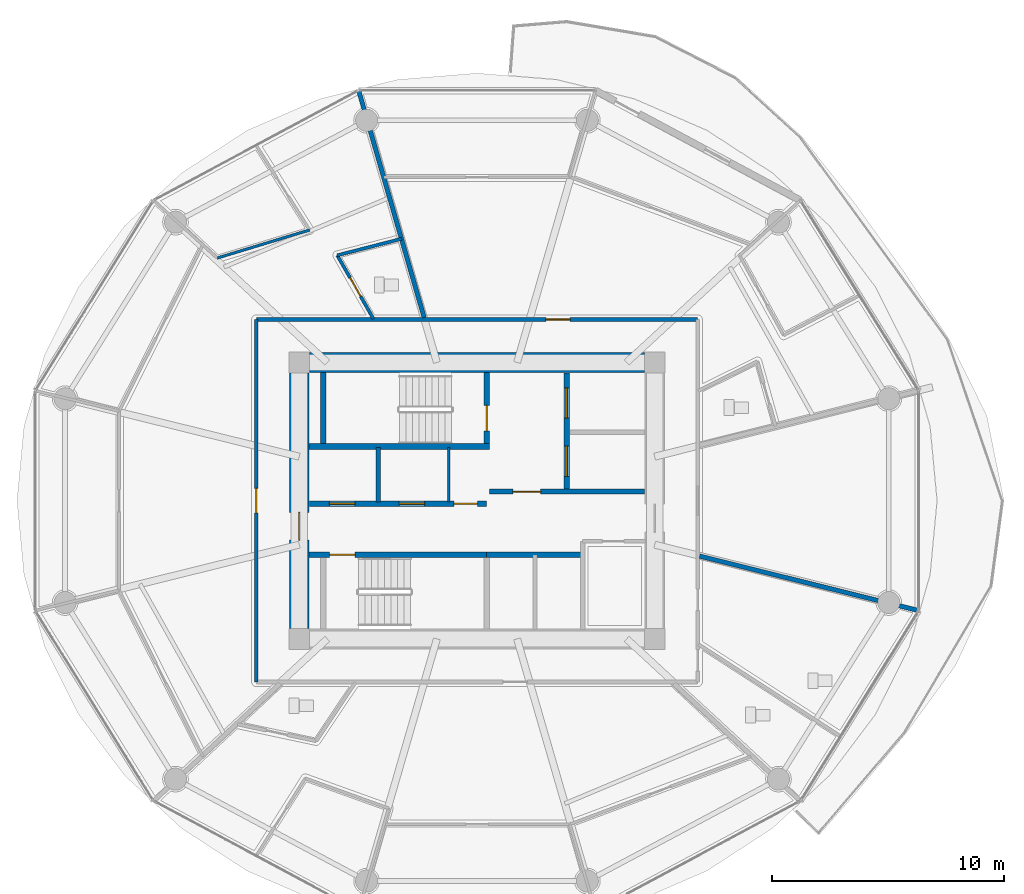
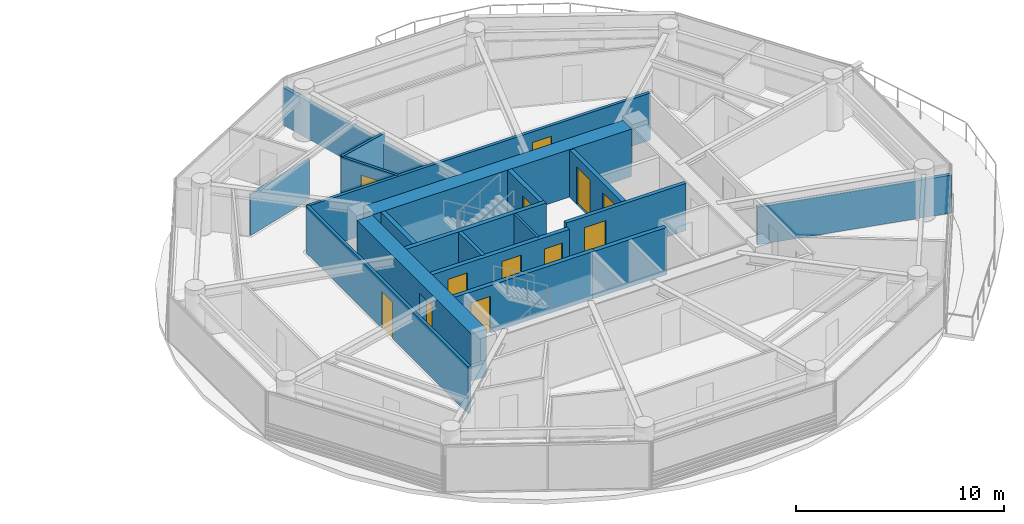
# One storey, part 19 of 31: 19 walls, 12 doors, 12 openings.
"""IFC4 building model written with IfcOpenShell, lengths in metres."""

from ifc_helpers import new_model, si_unit, direction, frame, frame_2d, origin, place, context, subcontext, project, spatial, rectangle, extrude, source, transform, mapped, material, layer, layer_set, type_object, type_shapes, element, fill, save


model = new_model("IFC4")

# Units and contexts
model_context = context("Model", 3, precision=1e-05, world=origin(), true_north=direction((0.0, 1.0)))
body_context = subcontext(model_context, "Body", "Model", "MODEL_VIEW")
ifc_project = project(units=[si_unit("LENGTHUNIT", "METRE"), si_unit("AREAUNIT", "SQUARE_METRE"), si_unit("VOLUMEUNIT", "CUBIC_METRE"), si_unit("PLANEANGLEUNIT", "RADIAN"), si_unit("MASSUNIT", "GRAM", prefix="KILO")], contexts=[model_context])

# Site, building, storey
site_placement = place(None, origin())
site = spatial("IfcSite", under=ifc_project, at=site_placement, CompositionType="ELEMENT")
building_placement = place(site_placement, origin())
building = spatial("IfcBuilding", under=site, at=building_placement, Name="Norrkilde Senior Care Towers", CompositionType="ELEMENT")
storey_placement = place(building_placement, frame((0.0, 0.0, 42.949951171875)))
storey = spatial("IfcBuildingStorey", under=building, at=storey_placement, Name="L12", CompositionType="ELEMENT", Elevation=42.949951171875)

# Wall
ifc_material_1 = material(Name="Concrete C60/75", Category="concrete")
ifc_layer_1 = layer(ifc_material_1, 0.85009765625)
ifc_layer_set_1 = layer_set([ifc_layer_1], Name="Concrete C60/75")
wall_type_1 = type_object("IfcWallType", Name="Core Shear Wall Z1 850", PredefinedType="SHEAR", material=ifc_layer_set_1)
shared_shape_1 = source(origin(), body_context, "Body", "SweptSolid", [
    extrude(rectangle(XDim=14.39990234375, YDim=0.85009765625, at=frame_2d((7.199951171875, 0.0))), origin(), (0.0, 0.0, 1.0), 2.7900390625),
])
wall_1_placement = place(storey_placement, frame((20.800048828125, 5.949951171875, 0.0), z_axis=(0.0, 0.0, 1.0), x_axis=(1.0, 0.0, 0.0)))
element("IfcWall", 1, at=wall_1_placement, inside=storey, type_object=wall_type_1, Name="L12 Core E North Shear Wall", PredefinedType="SHEAR", context=body_context, shape_type="MappedRepresentation", body=[
    mapped(shared_shape_1, transform((0.0, 0.0, 0.0), x_axis=(1.0, 0.0, 0.0), y_axis=(0.0, 1.0, 0.0), z_axis=(0.0, 0.0, 1.0), scale=1.0)),
])

# Wall, opening, door
shared_shape_2 = source(origin(), body_context, "Body", "SweptSolid", [
    extrude(rectangle(XDim=11.0, YDim=0.85009765625, at=frame_2d((5.5, 0.0))), origin(), (0.0, 0.0, 1.0), 2.7900390625),
])
type_shapes(wall_type_1, [shared_shape_1, shared_shape_2])
wall_2_placement = place(storey_placement, frame((20.35009765625, -5.5, 0.0), z_axis=(0.0, 0.0, 1.0), x_axis=(0.0, 1.0, 0.0)))
wall_2 = element("IfcWall", 2, at=wall_2_placement, inside=storey, type_object=wall_type_1, Name="L12 Core E West Shear Wall", PredefinedType="SHEAR", context=body_context, shape_type="MappedRepresentation", body=[
    mapped(shared_shape_2, transform((0.0, 0.0, 0.0), x_axis=(1.0, 0.0, 0.0), y_axis=(0.0, 1.0, 0.0), z_axis=(0.0, 0.0, 1.0), scale=1.0)),
])
opening_1_placement = place(wall_2_placement, frame((3.800048828125, 0.0, 0.0)))
opening_1 = element("IfcOpeningElement", 3, at=opening_1_placement, cuts=wall_2, Name="Opening D-04", PredefinedType="OPENING", context=body_context, shape_type="SweptSolid", body=[
    extrude(rectangle(XDim=1.199951171875, YDim=2.14990234375, at=frame_2d((0.60009765625, 1.074951171875))), frame((0.0, 0.43505859375, 0.0), z_axis=(0.0, -1.0, 0.0), x_axis=(1.0, 0.0, 0.0)), (0.0, 0.0, 1.0), 0.8701171875),
])
ifc_material_2 = material(Name="Galvanised Painted Steel", Category="steel")
door_type_1 = type_object("IfcDoorType", Name="Firefighting Lobby Fire Door 1200x2150", OperationType="NOTDEFINED", PredefinedType="DOOR", material=ifc_material_2)
shared_shape_3 = source(origin(), body_context, "Body", "SweptSolid", [
    extrude(rectangle(XDim=1.199951171875, YDim=2.14990234375, at=frame_2d((0.60009765625, 1.074951171875))), frame((0.0, 0.02490234375, 0.0), z_axis=(0.0, -1.0, 0.0), x_axis=(1.0, 0.0, 0.0)), (0.0, 0.0, 1.0), 0.050048828125),
])
type_shapes(door_type_1, [shared_shape_3])
door_1_placement = place(opening_1_placement, frame((1.199951171875, 0.0, 0.0), z_axis=(0.0, 0.0, 1.0), x_axis=(-1.0, 0.0, 0.0)))
door_1 = element("IfcDoor", 4, at=door_1_placement, inside=storey, type_object=door_type_1, Name="L12 Core E West Portal Door", OperationType="SINGLE_SWING_LEFT", OverallHeight=2.14990234375, OverallWidth=1.199951171875, PredefinedType="DOOR", context=body_context, shape_type="MappedRepresentation", body=[
    mapped(shared_shape_3, transform((0.0, 0.0, 0.0), x_axis=(1.0, 0.0, 0.0), y_axis=(0.0, 1.0, 0.0), z_axis=(0.0, 0.0, 1.0), scale=1.0)),
])
fill(opening_1, door_1)

# Wall
ifc_material_3 = material(Name="Concrete C45/55", Category="concrete")
ifc_layer_2 = layer(ifc_material_3, 0.239990234375)
ifc_layer_set_2 = layer_set([ifc_layer_2], Name="Concrete C45/55")
wall_type_2 = type_object("IfcWallType", Name="Shaft and Stair Enclosure Wall 240", PredefinedType="PARTITIONING", material=ifc_layer_set_2)
shared_shape_4 = source(origin(), body_context, "Body", "SweptSolid", [
    extrude(rectangle(XDim=7.76513671875, YDim=0.239990234375, at=frame_2d((3.882568359375, 0.0))), origin(), (0.0, 0.0, 1.0), 2.7900390625),
])
wall_3_placement = place(storey_placement, frame((20.77490234375, 2.330078125, 0.0), z_axis=(0.0, 0.0, 1.0), x_axis=(1.0, 0.0, 0.0)))
element("IfcWall", 5, at=wall_3_placement, inside=storey, type_object=wall_type_2, Name="WL-INT-L12-E-ST1S", PredefinedType="PARTITIONING", context=body_context, shape_type="MappedRepresentation", body=[
    mapped(shared_shape_4, transform((0.0, 0.0, 0.0), x_axis=(1.0, 0.0, 0.0), y_axis=(0.0, 1.0, 0.0), z_axis=(0.0, 0.0, 1.0), scale=1.0)),
])

# Wall, opening, door
wall_4_placement = place(storey_placement, frame((20.77490234375, -2.330078125, 0.0), z_axis=(0.0, 0.0, 1.0), x_axis=(1.0, 0.0, 0.0)))
wall_4 = element("IfcWall", 6, at=wall_4_placement, inside=storey, type_object=wall_type_2, Name="WL-INT-L12-E-ST2N", PredefinedType="PARTITIONING", context=body_context, shape_type="MappedRepresentation", body=[
    mapped(shared_shape_4, transform((0.0, 0.0, 0.0), x_axis=(1.0, 0.0, 0.0), y_axis=(0.0, 1.0, 0.0), z_axis=(0.0, 0.0, 1.0), scale=1.0)),
])
opening_2_placement = place(wall_4_placement, frame((0.885009765625, 0.0, 0.0)))
opening_2 = element("IfcOpeningElement", 7, at=opening_2_placement, cuts=wall_4, Name="Opening D-03", PredefinedType="OPENING", context=body_context, shape_type="SweptSolid", body=[
    extrude(rectangle(XDim=1.10009765625, YDim=2.14990234375, at=frame_2d((0.550048828125, 1.074951171875))), frame((0.0, 0.1298828125, 0.0), z_axis=(0.0, -1.0, 0.0), x_axis=(1.0, 0.0, 0.0)), (0.0, 0.0, 1.0), 0.260009765625),
])
door_type_2 = type_object("IfcDoorType", Name="Stairwell Protected Fire Door 1100x2150", OperationType="NOTDEFINED", PredefinedType="DOOR", material=ifc_material_2)
shared_shape_5 = source(origin(), body_context, "Body", "SweptSolid", [
    extrude(rectangle(XDim=1.10009765625, YDim=2.14990234375, at=frame_2d((0.550048828125, 1.074951171875))), frame((0.0, 0.02490234375, 0.0), z_axis=(0.0, -1.0, 0.0), x_axis=(1.0, 0.0, 0.0)), (0.0, 0.0, 1.0), 0.050048828125),
])
type_shapes(door_type_2, [shared_shape_5])
door_2_placement = place(opening_2_placement, frame((1.10009765625, 0.0, 0.0), z_axis=(0.0, 0.0, 1.0), x_axis=(-1.0, 0.0, 0.0)))
door_2 = element("IfcDoor", 8, at=door_2_placement, inside=storey, type_object=door_type_2, Name="L12 Stair E2 Fire Door", OperationType="SINGLE_SWING_RIGHT", OverallHeight=2.14990234375, OverallWidth=1.10009765625, PredefinedType="DOOR", context=body_context, shape_type="MappedRepresentation", body=[
    mapped(shared_shape_5, transform((0.0, 0.0, 0.0), x_axis=(1.0, 0.0, 0.0), y_axis=(0.0, 1.0, 0.0), z_axis=(0.0, 0.0, 1.0), scale=1.0)),
])
fill(opening_2, door_2)

# Wall
shared_shape_6 = source(origin(), body_context, "Body", "SweptSolid", [
    extrude(rectangle(XDim=3.074951171875, YDim=0.239990234375, at=frame_2d((1.53759765625, 0.0))), origin(), (0.0, 0.0, 1.0), 2.7900390625),
])
type_shapes(wall_type_2, [shared_shape_4, shared_shape_6])
wall_5_placement = place(storey_placement, frame((21.3798828125, 2.449951171875, 0.0), z_axis=(0.0, 0.0, 1.0), x_axis=(0.0, 1.0, 0.0)))
element("IfcWall", 9, at=wall_5_placement, inside=storey, type_object=wall_type_2, Name="WL-INT-L12-E-ST1W", PredefinedType="PARTITIONING", context=body_context, shape_type="MappedRepresentation", body=[
    mapped(shared_shape_6, transform((0.0, 0.0, 0.0), x_axis=(1.0, 0.0, 0.0), y_axis=(0.0, 1.0, 0.0), z_axis=(0.0, 0.0, 1.0), scale=1.0)),
])

# Wall, opening, door
wall_6_placement = place(storey_placement, frame((28.419921875, 2.449951171875, 0.0), z_axis=(0.0, 0.0, 1.0), x_axis=(0.0, 1.0, 0.0)))
wall_6 = element("IfcWall", 10, at=wall_6_placement, inside=storey, type_object=wall_type_2, Name="WL-INT-L12-E-ST1E", PredefinedType="PARTITIONING", context=body_context, shape_type="MappedRepresentation", body=[
    mapped(shared_shape_6, transform((0.0, 0.0, 0.0), x_axis=(1.0, 0.0, 0.0), y_axis=(0.0, 1.0, 0.0), z_axis=(0.0, 0.0, 1.0), scale=1.0)),
])
opening_3_placement = place(wall_6_placement, frame((0.550048828125, 0.0, 0.0)))
opening_3 = element("IfcOpeningElement", 11, at=opening_3_placement, cuts=wall_6, Name="Opening D-03", PredefinedType="OPENING", context=body_context, shape_type="SweptSolid", body=[
    extrude(rectangle(XDim=1.10009765625, YDim=2.14990234375, at=frame_2d((0.550048828125, 1.074951171875))), frame((0.0, 0.1298828125, 0.0), z_axis=(0.0, -1.0, 0.0), x_axis=(1.0, 0.0, 0.0)), (0.0, 0.0, 1.0), 0.260009765625),
])
door_3_placement = place(opening_3_placement, origin())
door_3 = element("IfcDoor", 12, at=door_3_placement, inside=storey, type_object=door_type_2, Name="L12 Stair E1 Fire Door", OperationType="SINGLE_SWING_LEFT", OverallHeight=2.14990234375, OverallWidth=1.10009765625, PredefinedType="DOOR", context=body_context, shape_type="MappedRepresentation", body=[
    mapped(shared_shape_5, transform((0.0, 0.0, 0.0), x_axis=(1.0, 0.0, 0.0), y_axis=(0.0, 1.0, 0.0), z_axis=(0.0, 0.0, 1.0), scale=1.0)),
])
fill(opening_3, door_3)

# Wall, openings, doors
ifc_layer_3 = layer(ifc_material_3, 0.239990234375)
ifc_layer_set_3 = layer_set([ifc_layer_3], Name="Concrete C45/55")
wall_type_3 = type_object("IfcWallType", Name="Lift and Plant Rated Enclosure Partition 240", PredefinedType="PARTITIONING", material=ifc_layer_set_3)
shared_shape_7 = source(origin(), body_context, "Body", "SweptSolid", [
    extrude(rectangle(XDim=5.0, YDim=0.239990234375, at=frame_2d((2.5, 0.0))), origin(), (0.0, 0.0, 1.0), 2.775146484375),
])
wall_7_placement = place(storey_placement, frame((31.860107421875, 0.5, 0.0), z_axis=(0.0, 0.0, 1.0), x_axis=(0.0, 1.0, 0.0)))
wall_7 = element("IfcWall", 13, at=wall_7_placement, inside=storey, type_object=wall_type_3, Name="WL-INT-L12-E-FFLE", PredefinedType="PARTITIONING", context=body_context, shape_type="MappedRepresentation", body=[
    mapped(shared_shape_7, transform((0.0, 0.0, 0.0), x_axis=(1.0, 0.0, 0.0), y_axis=(0.0, 1.0, 0.0), z_axis=(0.0, 0.0, 1.0), scale=1.0)),
])
opening_4_placement = place(wall_7_placement, frame((3.050048828125, 0.0, 0.0)))
opening_4 = element("IfcOpeningElement", 14, at=opening_4_placement, cuts=wall_7, Name="Opening LD-02", PredefinedType="OPENING", context=body_context, shape_type="SweptSolid", body=[
    extrude(rectangle(XDim=1.300048828125, YDim=2.199951171875, at=frame_2d((0.64990234375, 1.10009765625))), frame((0.0, 0.1298828125, 0.0), z_axis=(0.0, -1.0, 0.0), x_axis=(1.0, 0.0, 0.0)), (0.0, 0.0, 1.0), 0.260009765625),
])
opening_5_placement = place(wall_7_placement, frame((0.550048828125, 0.0, 0.0)))
opening_5 = element("IfcOpeningElement", 15, at=opening_5_placement, cuts=wall_7, Name="Opening LD-02", PredefinedType="OPENING", context=body_context, shape_type="SweptSolid", body=[
    extrude(rectangle(XDim=1.300048828125, YDim=2.199951171875, at=frame_2d((0.64990234375, 1.10009765625))), frame((0.0, 0.1298828125, 0.0), z_axis=(0.0, -1.0, 0.0), x_axis=(1.0, 0.0, 0.0)), (0.0, 0.0, 1.0), 0.260009765625),
])
ifc_material_4 = material(Name="Stainless Steel", Category="steel")
door_type_3 = type_object("IfcDoorType", Name="Stretcher and FFL Landing Sliding Door 1300x2200", OperationType="NOTDEFINED", PredefinedType="DOOR", material=ifc_material_4)
shared_shape_8 = source(origin(), body_context, "Body", "SweptSolid", [
    extrude(rectangle(XDim=1.300048828125, YDim=2.199951171875, at=frame_2d((0.64990234375, 1.10009765625))), frame((0.0, 0.02490234375, 0.0), z_axis=(0.0, -1.0, 0.0), x_axis=(1.0, 0.0, 0.0)), (0.0, 0.0, 1.0), 0.050048828125),
])
type_shapes(door_type_3, [shared_shape_8])
door_4_placement = place(opening_4_placement, origin())
door_4 = element("IfcDoor", 16, at=door_4_placement, inside=storey, type_object=door_type_3, Name="L12 Firefighting Lift E1 Landing Door", OperationType="SLIDING_TO_LEFT", OverallHeight=2.199951171875, OverallWidth=1.300048828125, PredefinedType="DOOR", context=body_context, shape_type="MappedRepresentation", body=[
    mapped(shared_shape_8, transform((0.0, 0.0, 0.0), x_axis=(1.0, 0.0, 0.0), y_axis=(0.0, 1.0, 0.0), z_axis=(0.0, 0.0, 1.0), scale=1.0)),
])
fill(opening_4, door_4)
door_5_placement = place(opening_5_placement, origin())
door_5 = element("IfcDoor", 17, at=door_5_placement, inside=storey, type_object=door_type_3, Name="L12 Stretcher Lift E1 Landing Door", OperationType="SLIDING_TO_RIGHT", OverallHeight=2.199951171875, OverallWidth=1.300048828125, PredefinedType="DOOR", context=body_context, shape_type="MappedRepresentation", body=[
    mapped(shared_shape_8, transform((0.0, 0.0, 0.0), x_axis=(1.0, 0.0, 0.0), y_axis=(0.0, 1.0, 0.0), z_axis=(0.0, 0.0, 1.0), scale=1.0)),
])
fill(opening_5, door_5)

# Wall, opening, door
ifc_layer_4 = layer(ifc_material_3, 0.2099609375)
ifc_layer_set_4 = layer_set([ifc_layer_4], Name="Concrete C45/55")
wall_type_4 = type_object("IfcWallType", Name="Firefighting Lobby Wall 210", PredefinedType="PARTITIONING", material=ifc_layer_set_4)
shared_shape_9 = source(origin(), body_context, "Body", "SweptSolid", [
    extrude(rectangle(XDim=6.659912109375, YDim=0.2099609375, at=frame_2d((3.330078125, 0.0))), origin(), (0.0, 0.0, 1.0), 2.775146484375),
])
type_shapes(wall_type_4, [shared_shape_9])
wall_8_placement = place(storey_placement, frame((28.5400390625, 0.389892578125, 0.0), z_axis=(0.0, 0.0, 1.0), x_axis=(1.0, 0.0, 0.0)))
wall_8 = element("IfcWall", 18, at=wall_8_placement, inside=storey, type_object=wall_type_4, Name="WL-INT-L12-E-FFLS", PredefinedType="PARTITIONING", context=body_context, shape_type="MappedRepresentation", body=[
    mapped(shared_shape_9, transform((0.0, 0.0, 0.0), x_axis=(1.0, 0.0, 0.0), y_axis=(0.0, 1.0, 0.0), z_axis=(0.0, 0.0, 1.0), scale=1.0)),
])
opening_6_placement = place(wall_8_placement, frame((1.0, 0.0, 0.0)))
opening_6 = element("IfcOpeningElement", 19, at=opening_6_placement, cuts=wall_8, Name="Opening D-04", PredefinedType="OPENING", context=body_context, shape_type="SweptSolid", body=[
    extrude(rectangle(XDim=1.199951171875, YDim=2.14990234375, at=frame_2d((0.60009765625, 1.074951171875))), frame((0.0, 0.114990234375, 0.0), z_axis=(0.0, -1.0, 0.0), x_axis=(1.0, 0.0, 0.0)), (0.0, 0.0, 1.0), 0.22998046875),
])
door_6_placement = place(opening_6_placement, frame((1.199951171875, 0.0, 0.0), z_axis=(0.0, 0.0, 1.0), x_axis=(-1.0, 0.0, 0.0)))
door_6 = element("IfcDoor", 20, at=door_6_placement, inside=storey, type_object=door_type_1, Name="L12 Firefighting Lobby E Door", OperationType="SINGLE_SWING_LEFT", OverallHeight=2.14990234375, OverallWidth=1.199951171875, PredefinedType="DOOR", context=body_context, shape_type="MappedRepresentation", body=[
    mapped(shared_shape_3, transform((0.0, 0.0, 0.0), x_axis=(1.0, 0.0, 0.0), y_axis=(0.0, 1.0, 0.0), z_axis=(0.0, 0.0, 1.0), scale=1.0)),
])
fill(opening_6, door_6)

# Wall, openings, doors
shared_shape_10 = source(origin(), body_context, "Body", "SweptSolid", [
    extrude(rectangle(XDim=7.619873046875, YDim=0.239990234375, at=frame_2d((3.81005859375, 0.0))), origin(), (0.0, 0.0, 1.0), 2.775146484375),
])
wall_9_placement = place(storey_placement, frame((20.800048828125, -0.1298828125, 0.0), z_axis=(0.0, 0.0, 1.0), x_axis=(1.0, 0.0, 0.0)))
wall_9 = element("IfcWall", 21, at=wall_9_placement, inside=storey, type_object=wall_type_3, Name="WL-INT-L12-E-PKAS", PredefinedType="PARTITIONING", context=body_context, shape_type="MappedRepresentation", body=[
    mapped(shared_shape_10, transform((0.0, 0.0, 0.0), x_axis=(1.0, 0.0, 0.0), y_axis=(0.0, 1.0, 0.0), z_axis=(0.0, 0.0, 1.0), scale=1.0)),
])
opening_7_placement = place(wall_9_placement, frame((6.219970703125, 0.0, 0.0)))
opening_7 = element("IfcOpeningElement", 22, at=opening_7_placement, cuts=wall_9, Name="Opening D-10", PredefinedType="OPENING", context=body_context, shape_type="SweptSolid", body=[
    extrude(rectangle(XDim=1.0, YDim=2.10009765625, at=frame_2d((0.5, 1.050048828125))), frame((0.0, 0.1298828125, 0.0), z_axis=(0.0, -1.0, 0.0), x_axis=(1.0, 0.0, 0.0)), (0.0, 0.0, 1.0), 0.260009765625),
])
opening_8_placement = place(wall_9_placement, frame((0.85009765625, 0.0, 0.0)))
opening_8 = element("IfcOpeningElement", 23, at=opening_8_placement, cuts=wall_9, Name="Opening LD-01", PredefinedType="OPENING", context=body_context, shape_type="SweptSolid", body=[
    extrude(rectangle(XDim=1.10009765625, YDim=2.199951171875, at=frame_2d((0.550048828125, 1.10009765625))), frame((0.0, 0.1298828125, 0.0), z_axis=(0.0, -1.0, 0.0), x_axis=(1.0, 0.0, 0.0)), (0.0, 0.0, 1.0), 0.260009765625),
])
opening_9_placement = place(wall_9_placement, frame((3.85009765625, 0.0, 0.0)))
opening_9 = element("IfcOpeningElement", 24, at=opening_9_placement, cuts=wall_9, Name="Opening LD-01", PredefinedType="OPENING", context=body_context, shape_type="SweptSolid", body=[
    extrude(rectangle(XDim=1.10009765625, YDim=2.199951171875, at=frame_2d((0.550048828125, 1.10009765625))), frame((0.0, 0.1298828125, 0.0), z_axis=(0.0, -1.0, 0.0), x_axis=(1.0, 0.0, 0.0)), (0.0, 0.0, 1.0), 0.260009765625),
])
door_type_4 = type_object("IfcDoorType", Name="Plant and Riser Rated Door 1000x2100", OperationType="NOTDEFINED", PredefinedType="DOOR", material=ifc_material_2)
shared_shape_11 = source(origin(), body_context, "Body", "SweptSolid", [
    extrude(rectangle(XDim=1.0, YDim=2.10009765625, at=frame_2d((0.5, 1.050048828125))), frame((0.0, 0.02490234375, 0.0), z_axis=(0.0, -1.0, 0.0), x_axis=(1.0, 0.0, 0.0)), (0.0, 0.0, 1.0), 0.050048828125),
])
type_shapes(door_type_4, [shared_shape_11])
door_7_placement = place(opening_7_placement, frame((1.0, 0.0, 0.0), z_axis=(0.0, 0.0, 1.0), x_axis=(-1.0, 0.0, 0.0)))
door_7 = element("IfcDoor", 25, at=door_7_placement, inside=storey, type_object=door_type_4, Name="L12 Electrical Riser E Door", OperationType="SINGLE_SWING_LEFT", OverallHeight=2.10009765625, OverallWidth=1.0, PredefinedType="DOOR", context=body_context, shape_type="MappedRepresentation", body=[
    mapped(shared_shape_11, transform((0.0, 0.0, 0.0), x_axis=(1.0, 0.0, 0.0), y_axis=(0.0, 1.0, 0.0), z_axis=(0.0, 0.0, 1.0), scale=1.0)),
])
fill(opening_7, door_7)
door_type_5 = type_object("IfcDoorType", Name="Lift Landing Sliding Door 1100x2200", OperationType="NOTDEFINED", PredefinedType="DOOR", material=ifc_material_4)
shared_shape_12 = source(origin(), body_context, "Body", "SweptSolid", [
    extrude(rectangle(XDim=1.10009765625, YDim=2.199951171875, at=frame_2d((0.550048828125, 1.10009765625))), frame((0.0, 0.02490234375, 0.0), z_axis=(0.0, -1.0, 0.0), x_axis=(1.0, 0.0, 0.0)), (0.0, 0.0, 1.0), 0.050048828125),
])
type_shapes(door_type_5, [shared_shape_12])
door_8_placement = place(opening_8_placement, origin())
door_8 = element("IfcDoor", 26, at=door_8_placement, inside=storey, type_object=door_type_5, Name="L12 Passenger Lift E1 Landing Door", OperationType="SLIDING_TO_LEFT", OverallHeight=2.199951171875, OverallWidth=1.10009765625, PredefinedType="DOOR", context=body_context, shape_type="MappedRepresentation", body=[
    mapped(shared_shape_12, transform((0.0, 0.0, 0.0), x_axis=(1.0, 0.0, 0.0), y_axis=(0.0, 1.0, 0.0), z_axis=(0.0, 0.0, 1.0), scale=1.0)),
])
fill(opening_8, door_8)
door_9_placement = place(opening_9_placement, origin())
door_9 = element("IfcDoor", 27, at=door_9_placement, inside=storey, type_object=door_type_5, Name="L12 Passenger Lift E2 Landing Door", OperationType="SLIDING_TO_RIGHT", OverallHeight=2.199951171875, OverallWidth=1.10009765625, PredefinedType="DOOR", context=body_context, shape_type="MappedRepresentation", body=[
    mapped(shared_shape_12, transform((0.0, 0.0, 0.0), x_axis=(1.0, 0.0, 0.0), y_axis=(0.0, 1.0, 0.0), z_axis=(0.0, 0.0, 1.0), scale=1.0)),
])
fill(opening_9, door_9)

# Walls
ifc_material_5 = material(Name="Gypsum Acoustic Board")
ifc_layer_5 = layer(ifc_material_5, 0.114990234375)
ifc_layer_set_5 = layer_set([ifc_layer_5], Name="Gypsum Acoustic Board")
wall_type_5 = type_object("IfcWallType", Name="Internal Room Partition 115", PredefinedType="PARTITIONING", material=ifc_layer_set_5)
shared_shape_13 = source(origin(), body_context, "Body", "SweptSolid", [
    extrude(rectangle(XDim=2.330078125, YDim=0.114990234375, at=frame_2d((1.1650390625, 0.0))), origin(), (0.0, 0.0, 1.0), 2.775146484375),
])
wall_10_placement = place(storey_placement, frame((26.7900390625, -0.050048828125, 0.0), z_axis=(0.0, 0.0, 1.0), x_axis=(0.0, 1.0, 0.0)))
element("IfcWall", 28, at=wall_10_placement, inside=storey, type_object=wall_type_5, Name="WL-INT-L12-E-RISW", PredefinedType="PARTITIONING", context=body_context, shape_type="MappedRepresentation", body=[
    mapped(shared_shape_13, transform((0.0, 0.0, 0.0), x_axis=(1.0, 0.0, 0.0), y_axis=(0.0, 1.0, 0.0), z_axis=(0.0, 0.0, 1.0), scale=1.0)),
])
ifc_layer_6 = layer(ifc_material_3, 0.199951171875)
ifc_layer_set_6 = layer_set([ifc_layer_6], Name="Concrete C45/55")
wall_type_6 = type_object("IfcWallType", Name="Shaft Division and Plant Partition 200", PredefinedType="PARTITIONING", material=ifc_layer_set_6)
shared_shape_14 = source(origin(), body_context, "Body", "SweptSolid", [
    extrude(rectangle(XDim=2.330078125, YDim=0.199951171875, at=frame_2d((1.1650390625, 0.0))), origin(), (0.0, 0.0, 1.0), 2.775146484375),
])
type_shapes(wall_type_6, [shared_shape_14])
wall_11_placement = place(storey_placement, frame((23.75, -0.050048828125, 0.0), z_axis=(0.0, 0.0, 1.0), x_axis=(0.0, 1.0, 0.0)))
element("IfcWall", 29, at=wall_11_placement, inside=storey, type_object=wall_type_6, Name="WL-INT-L12-E-PL12", PredefinedType="PARTITIONING", context=body_context, shape_type="MappedRepresentation", body=[
    mapped(shared_shape_14, transform((0.0, 0.0, 0.0), x_axis=(1.0, 0.0, 0.0), y_axis=(0.0, 1.0, 0.0), z_axis=(0.0, 0.0, 1.0), scale=1.0)),
])
shared_shape_15 = source(origin(), body_context, "Body", "SweptSolid", [
    extrude(rectangle(XDim=4.130126953125, YDim=0.239990234375, at=frame_2d((2.06494140625, 0.0))), origin(), (0.0, 0.0, 1.0), 2.775146484375),
])
type_shapes(wall_type_3, [shared_shape_7, shared_shape_10, shared_shape_15])
wall_12_placement = place(storey_placement, frame((28.419921875, -2.330078125, 0.0), z_axis=(0.0, 0.0, 1.0), x_axis=(1.0, 0.0, 0.0)))
element("IfcWall", 30, at=wall_12_placement, inside=storey, type_object=wall_type_3, Name="WL-INT-L12-E-PKBN", PredefinedType="PARTITIONING", context=body_context, shape_type="MappedRepresentation", body=[
    mapped(shared_shape_15, transform((0.0, 0.0, 0.0), x_axis=(1.0, 0.0, 0.0), y_axis=(0.0, 1.0, 0.0), z_axis=(0.0, 0.0, 1.0), scale=1.0)),
])

# Wall, opening, door
ifc_layer_7 = layer(ifc_material_5, 0.1650390625)
ifc_layer_set_7 = layer_set([ifc_layer_7], Name="Gypsum Acoustic Board")
wall_type_7 = type_object("IfcWallType", Name="Corridor Rated Partition 165", PredefinedType="PARTITIONING", material=ifc_layer_set_7)
shared_shape_16 = source(origin(), body_context, "Body", "SweptSolid", [
    extrude(rectangle(XDim=19.0, YDim=0.1650390625, at=frame_2d((9.5, 0.0))), origin(), (0.0, 0.0, 1.0), 2.775146484375),
])
wall_13_placement = place(storey_placement, frame((18.5, 7.800048828125, 0.0), z_axis=(0.0, 0.0, 1.0), x_axis=(1.0, 0.0, 0.0)))
wall_13 = element("IfcWall", 31, at=wall_13_placement, inside=storey, type_object=wall_type_7, Name="WL-INT-L12-E-CRW-N-0", PredefinedType="PARTITIONING", context=body_context, shape_type="MappedRepresentation", body=[
    mapped(shared_shape_16, transform((0.0, 0.0, 0.0), x_axis=(1.0, 0.0, 0.0), y_axis=(0.0, 1.0, 0.0), z_axis=(0.0, 0.0, 1.0), scale=1.0)),
])
opening_10_placement = place(wall_13_placement, frame((12.462158203125, 0.0, 0.0)))
opening_10 = element("IfcOpeningElement", 32, at=opening_10_placement, cuts=wall_13, Name="Opening D-06", PredefinedType="OPENING", context=body_context, shape_type="SweptSolid", body=[
    extrude(rectangle(XDim=1.050048828125, YDim=2.14990234375, at=frame_2d((0.52490234375, 1.074951171875))), frame((0.0, 0.092529296875, 0.0), z_axis=(0.0, -1.0, 0.0), x_axis=(1.0, 0.0, 0.0)), (0.0, 0.0, 1.0), 0.18505859375),
])
ifc_material_6 = material(Name="Nordic Ash Timber", Category="wood")
door_type_6 = type_object("IfcDoorType", Name="Apartment Entrance Fire Door 1050x2150", OperationType="NOTDEFINED", PredefinedType="DOOR", material=ifc_material_6)
shared_shape_17 = source(origin(), body_context, "Body", "SweptSolid", [
    extrude(rectangle(XDim=1.050048828125, YDim=2.14990234375, at=frame_2d((0.52490234375, 1.074951171875))), frame((0.0, 0.02490234375, 0.0), z_axis=(0.0, -1.0, 0.0), x_axis=(1.0, 0.0, 0.0)), (0.0, 0.0, 1.0), 0.050048828125),
])
type_shapes(door_type_6, [shared_shape_17])
door_10_placement = place(opening_10_placement, frame((1.050048828125, 0.0, 0.0), z_axis=(0.0, 0.0, 1.0), x_axis=(-1.0, 0.0, 0.0)))
door_10 = element("IfcDoor", 33, at=door_10_placement, inside=storey, type_object=door_type_6, Name="Apartment 12E Entrance Door", OperationType="SINGLE_SWING_LEFT", OverallHeight=2.14990234375, OverallWidth=1.050048828125, PredefinedType="DOOR", context=body_context, shape_type="MappedRepresentation", body=[
    mapped(shared_shape_17, transform((0.0, 0.0, 0.0), x_axis=(1.0, 0.0, 0.0), y_axis=(0.0, 1.0, 0.0), z_axis=(0.0, 0.0, 1.0), scale=1.0)),
])
fill(opening_10, door_10)

shared_shape_18 = source(origin(), body_context, "Body", "SweptSolid", [
    extrude(rectangle(XDim=15.60009765625, YDim=0.1650390625, at=frame_2d((7.800048828125, 0.0))), origin(), (0.0, 0.0, 1.0), 2.775146484375),
])
type_shapes(wall_type_7, [shared_shape_16, shared_shape_18])
wall_14_placement = place(storey_placement, frame((18.5, -7.800048828125, 0.0), z_axis=(0.0, 0.0, 1.0), x_axis=(0.0, 1.0, 0.0)))
wall_14 = element("IfcWall", 34, at=wall_14_placement, inside=storey, type_object=wall_type_7, Name="WL-INT-L12-E-CRW-W-0", PredefinedType="PARTITIONING", context=body_context, shape_type="MappedRepresentation", body=[
    mapped(shared_shape_18, transform((0.0, 0.0, 0.0), x_axis=(1.0, 0.0, 0.0), y_axis=(0.0, 1.0, 0.0), z_axis=(0.0, 0.0, 1.0), scale=1.0)),
])
opening_11_placement = place(wall_14_placement, frame((7.27490234375, 0.0, 0.0)))
opening_11 = element("IfcOpeningElement", 35, at=opening_11_placement, cuts=wall_14, Name="Opening D-06", PredefinedType="OPENING", context=body_context, shape_type="SweptSolid", body=[
    extrude(rectangle(XDim=1.050048828125, YDim=2.14990234375, at=frame_2d((0.52490234375, 1.074951171875))), frame((0.0, 0.092529296875, 0.0), z_axis=(0.0, -1.0, 0.0), x_axis=(1.0, 0.0, 0.0)), (0.0, 0.0, 1.0), 0.18505859375),
])
door_11_placement = place(opening_11_placement, frame((1.050048828125, 0.0, 0.0), z_axis=(0.0, 0.0, 1.0), x_axis=(-1.0, 0.0, 0.0)))
door_11 = element("IfcDoor", 36, at=door_11_placement, inside=storey, type_object=door_type_6, Name="Apartment 12A Entrance Door", OperationType="SINGLE_SWING_RIGHT", OverallHeight=2.14990234375, OverallWidth=1.050048828125, PredefinedType="DOOR", context=body_context, shape_type="MappedRepresentation", body=[
    mapped(shared_shape_17, transform((0.0, 0.0, 0.0), x_axis=(1.0, 0.0, 0.0), y_axis=(0.0, 1.0, 0.0), z_axis=(0.0, 0.0, 1.0), scale=1.0)),
])
fill(opening_11, door_11)

# Walls
ifc_layer_8 = layer(ifc_material_5, 0.18994140625)
ifc_layer_set_8 = layer_set([ifc_layer_8], Name="Gypsum Acoustic Board")
wall_type_8 = type_object("IfcWallType", Name="Unit Demising Acoustic Wall 190", PredefinedType="PARTITIONING", material=ifc_layer_set_8)
shared_shape_19 = source(origin(), body_context, "Body", "SweptSolid", [
    extrude(rectangle(XDim=10.196044921875, YDim=0.18994140625, at=frame_2d((5.09814453125, 0.0))), origin(), (0.0, 0.0, 1.0), 2.22509765625),
])
wall_15_placement = place(storey_placement, frame((25.72705078125, 7.8798828125, 0.0), z_axis=(0.0, 0.0, 1.0), x_axis=(-0.277136420347, 0.960830580549, 0.0)))
element("IfcWall", 37, at=wall_15_placement, inside=storey, type_object=wall_type_8, Name="WL-INT-L12-E-DEM-03-0", PredefinedType="PARTITIONING", context=body_context, shape_type="MappedRepresentation", body=[
    mapped(shared_shape_19, transform((0.0, 0.0, 0.0), x_axis=(1.0, 0.0, 0.0), y_axis=(0.0, 1.0, 0.0), z_axis=(0.0, 0.0, 1.0), scale=1.0)),
])
shared_shape_20 = source(origin(), body_context, "Body", "SweptSolid", [
    extrude(rectangle(XDim=9.737060546875, YDim=0.18994140625, at=frame_2d((4.86865234375, 0.0))), origin(), (0.0, 0.0, 1.0), 2.22509765625),
])
type_shapes(wall_type_8, [shared_shape_19, shared_shape_20])
wall_16_placement = place(storey_placement, frame((37.580078125, -2.384521484375, 0.0), z_axis=(0.0, 0.0, 1.0), x_axis=(0.970392716238, -0.241532557375, 0.0)))
element("IfcWall", 38, at=wall_16_placement, inside=storey, type_object=wall_type_8, Name="WL-INT-L12-E-DEM-11-0", PredefinedType="PARTITIONING", context=body_context, shape_type="MappedRepresentation", body=[
    mapped(shared_shape_20, transform((0.0, 0.0, 0.0), x_axis=(1.0, 0.0, 0.0), y_axis=(0.0, 1.0, 0.0), z_axis=(0.0, 0.0, 1.0), scale=1.0)),
])

# Wall, opening, door
ifc_layer_9 = layer(ifc_material_5, 0.139892578125)
ifc_layer_set_9 = layer_set([ifc_layer_9], Name="Gypsum Acoustic Board")
wall_type_9 = type_object("IfcWallType", Name="En-suite Wet Room Wall 140", PredefinedType="PARTITIONING", material=ifc_layer_set_9)
shared_shape_21 = source(origin(), body_context, "Body", "SweptSolid", [
    extrude(rectangle(XDim=3.14111328125, YDim=0.139892578125, at=frame_2d((1.570556640625, 0.0))), origin(), (0.0, 0.0, 1.0), 2.775146484375),
])
wall_17_placement = place(storey_placement, frame((23.54150390625, 7.830078125, 0.0), z_axis=(0.0, 0.0, 1.0), x_axis=(-0.494874486088, 0.868964465913, 0.0)))
wall_17 = element("IfcWall", 39, at=wall_17_placement, inside=storey, type_object=wall_type_9, Name="WL-INT-L12-E-UBTS-03", PredefinedType="PARTITIONING", context=body_context, shape_type="MappedRepresentation", body=[
    mapped(shared_shape_21, transform((0.0, 0.0, 0.0), x_axis=(1.0, 0.0, 0.0), y_axis=(0.0, 1.0, 0.0), z_axis=(0.0, 0.0, 1.0), scale=1.0)),
])
opening_12_placement = place(wall_17_placement, frame((1.110595703125, 0.0, 0.0)))
opening_12 = element("IfcOpeningElement", 40, at=opening_12_placement, cuts=wall_17, Name="Opening D-08", PredefinedType="OPENING", context=body_context, shape_type="SweptSolid", body=[
    extrude(rectangle(XDim=0.919921875, YDim=2.10009765625, at=frame_2d((0.4599609375, 1.050048828125))), frame((0.0, 0.079833984375, 0.0), z_axis=(0.0, -1.0, 0.0), x_axis=(1.0, 0.0, 0.0)), (0.0, 0.0, 1.0), 0.159912109375),
])
door_type_7 = type_object("IfcDoorType", Name="Accessible Wet Room Door 920x2100", OperationType="NOTDEFINED", PredefinedType="DOOR", material=ifc_material_6)
shared_shape_22 = source(origin(), body_context, "Body", "SweptSolid", [
    extrude(rectangle(XDim=0.919921875, YDim=2.10009765625, at=frame_2d((0.4599609375, 1.050048828125))), frame((0.0, 0.02490234375, 0.0), z_axis=(0.0, -1.0, 0.0), x_axis=(1.0, 0.0, 0.0)), (0.0, 0.0, 1.0), 0.050048828125),
])
type_shapes(door_type_7, [shared_shape_22])
door_12_placement = place(opening_12_placement, origin())
door_12 = element("IfcDoor", 41, at=door_12_placement, inside=storey, type_object=door_type_7, Name="Apartment 12A Bathroom Door", OperationType="SINGLE_SWING_LEFT", OverallHeight=2.10009765625, OverallWidth=0.919921875, PredefinedType="DOOR", context=body_context, shape_type="MappedRepresentation", body=[
    mapped(shared_shape_22, transform((0.0, 0.0, 0.0), x_axis=(1.0, 0.0, 0.0), y_axis=(0.0, 1.0, 0.0), z_axis=(0.0, 0.0, 1.0), scale=1.0)),
])
fill(opening_12, door_12)

# Walls
shared_shape_23 = source(origin(), body_context, "Body", "SweptSolid", [
    extrude(rectangle(XDim=2.8681640625, YDim=0.139892578125, at=frame_2d((1.43408203125, 0.0))), origin(), (0.0, 0.0, 1.0), 2.775146484375),
])
type_shapes(wall_type_9, [shared_shape_21, shared_shape_23])
wall_18_placement = place(storey_placement, frame((21.987060546875, 10.5595703125, 0.0), z_axis=(0.0, 0.0, 1.0), x_axis=(0.968467705195, 0.249139125778, 0.0)))
element("IfcWall", 42, at=wall_18_placement, inside=storey, type_object=wall_type_9, Name="WL-INT-L12-E-UBTF-03", PredefinedType="PARTITIONING", context=body_context, shape_type="MappedRepresentation", body=[
    mapped(shared_shape_23, transform((0.0, 0.0, 0.0), x_axis=(1.0, 0.0, 0.0), y_axis=(0.0, 1.0, 0.0), z_axis=(0.0, 0.0, 1.0), scale=1.0)),
])
shared_shape_24 = source(origin(), body_context, "Body", "SweptSolid", [
    extrude(rectangle(XDim=4.15869140625, YDim=0.114990234375, at=frame_2d((2.079345703125, 0.0))), origin(), (0.0, 0.0, 1.0), 2.4150390625),
])
type_shapes(wall_type_5, [shared_shape_13, shared_shape_24])
wall_19_placement = place(storey_placement, frame((20.79638671875, 11.650634765625, 0.0), z_axis=(0.0, 0.0, 1.0), x_axis=(-0.956846477815, -0.290593905466, 0.0)))
element("IfcWall", 43, at=wall_19_placement, inside=storey, type_object=wall_type_5, Name="WL-INT-L12-E-UKTF-03", PredefinedType="PARTITIONING", context=body_context, shape_type="MappedRepresentation", body=[
    mapped(shared_shape_24, transform((0.0, 0.0, 0.0), x_axis=(1.0, 0.0, 0.0), y_axis=(0.0, 1.0, 0.0), z_axis=(0.0, 0.0, 1.0), scale=1.0)),
])

save(model, "model.ifc")
